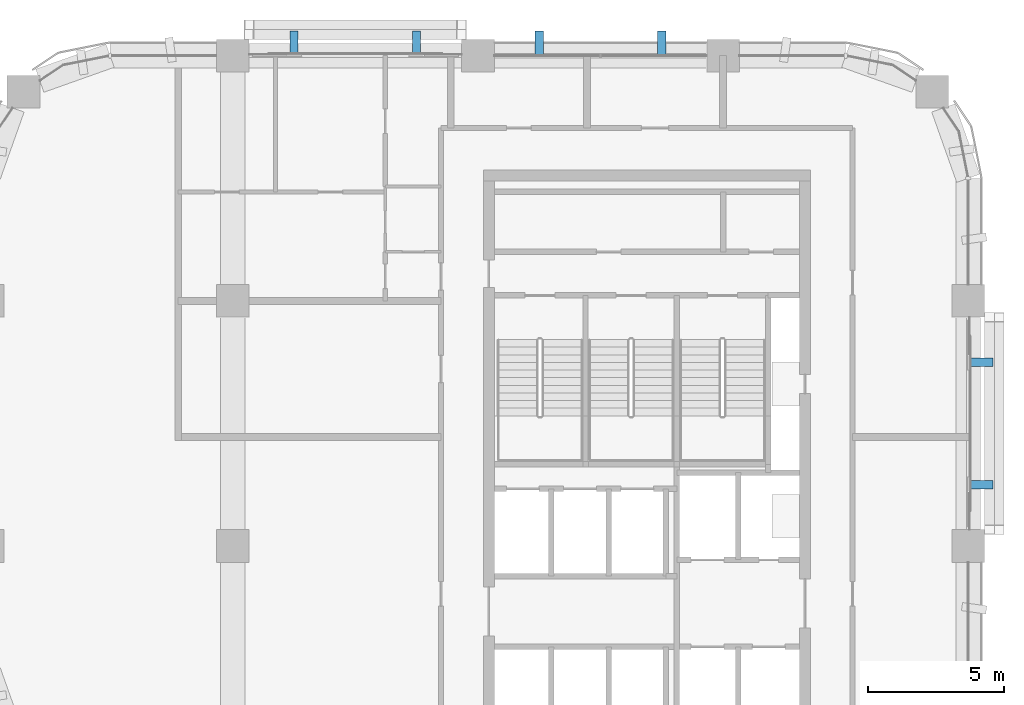
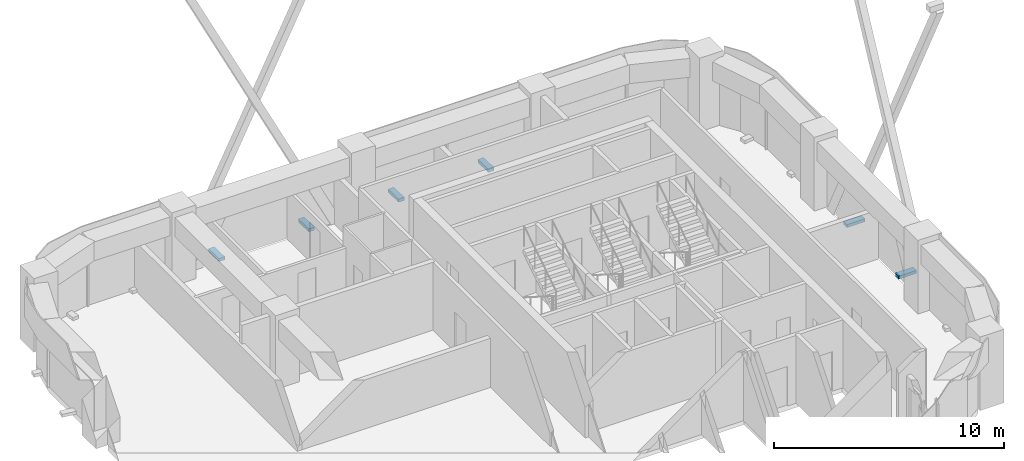
# One storey, part 9 of 10: 6 discrete accessories.
"""IFC4 building model written with IfcOpenShell, lengths in metres."""

from ifc_helpers import new_model, si_unit, direction, frame, origin, origin_2d, place, context, subcontext, project, spatial, rectangle, extrude, element, save


model = new_model("IFC4")

# Units and contexts
model_context = context("Model", 3, precision=1e-05, world=origin(), true_north=direction((0.0, 1.0)))
body_context = subcontext(model_context, "Body", "Model", "MODEL_VIEW")
ifc_project = project(units=[si_unit("LENGTHUNIT", "METRE"), si_unit("AREAUNIT", "SQUARE_METRE"), si_unit("VOLUMEUNIT", "CUBIC_METRE"), si_unit("PLANEANGLEUNIT", "RADIAN"), si_unit("MASSUNIT", "GRAM", prefix="KILO")], contexts=[model_context])

# Site, building, storey
site_placement = place(None, origin())
site = spatial("IfcSite", under=ifc_project, at=site_placement, CompositionType="ELEMENT")
building_placement = place(site_placement, origin())
building = spatial("IfcBuilding", under=site, at=building_placement, Name="Tessera Arch", CompositionType="ELEMENT")
storey_placement = place(building_placement, frame((0.0, 0.0, 265.699951171875)))
storey = spatial("IfcBuildingStorey", under=building, at=storey_placement, Name="L64", CompositionType="ELEMENT", Elevation=265.699951171875)

# Discrete accessories
for number, where, z_axis, x_axis, name in (
    (1, (54.449951171875, 38.25, 0.0), (0.0, 0.0, 1.0), (1.0, 0.0, 0.0), "Screen panel bracket"),
    (2, (54.449951171875, 42.75, 0.0), (0.0, 0.0, 1.0), (1.0, 0.0, 0.0), "Screen panel bracket"),
    (3, (42.75, 54.449951171875, 0.0), (0.0, 0.0, 1.0), (0.0, 1.0, 0.0), "Screen panel bracket"),
    (4, (38.25, 54.449951171875, 0.0), (0.0, 0.0, 1.0), (0.0, 1.0, 0.0), "Screen panel bracket"),
    (5, (33.75, 54.449951171875, 0.0), (0.0, 0.0, 1.0), (0.0, 1.0, 0.0), "Screen panel bracket"),
    (6, (29.25, 54.449951171875, 0.0), (0.0, 0.0, 1.0), (0.0, 1.0, 0.0), "Screen panel bracket"),
):
    element("IfcDiscreteAccessory", number, at=place(storey_placement, frame(where, z_axis=z_axis, x_axis=x_axis)), inside=storey, Name=name, PredefinedType="BRACKET", context=body_context, shape_type="SweptSolid", body=[
        extrude(rectangle(XDim=0.89990234375, YDim=0.300048828125, at=origin_2d()), origin(), (0.0, 0.0, 1.0), 0.159912109375),
    ])

save(model, "model.ifc")
